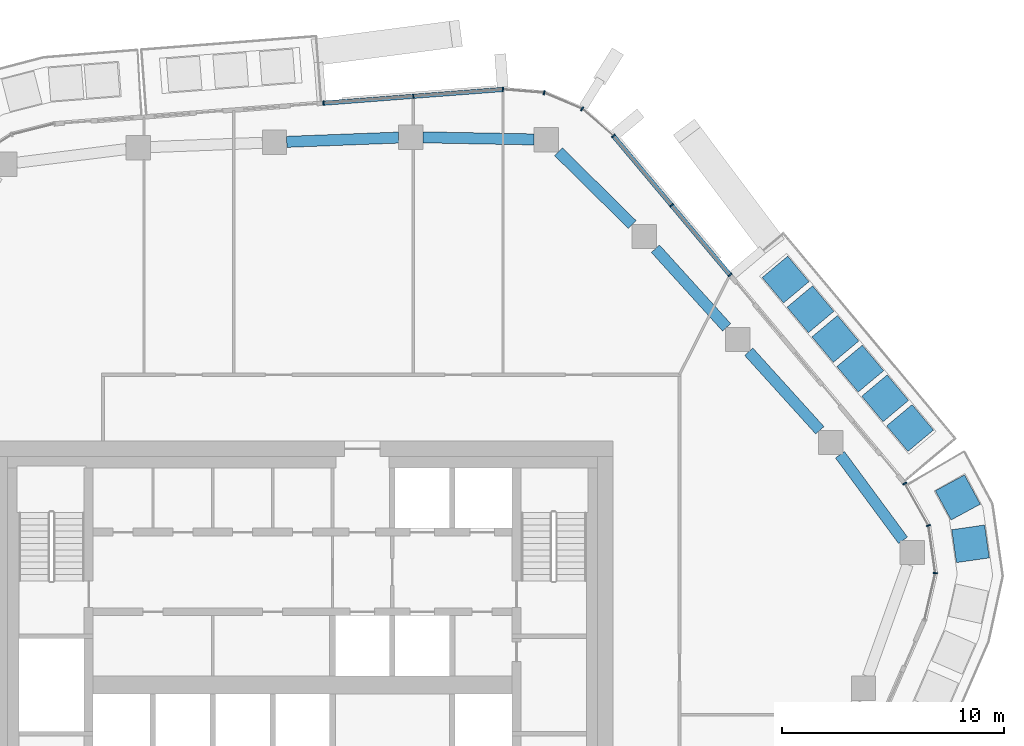
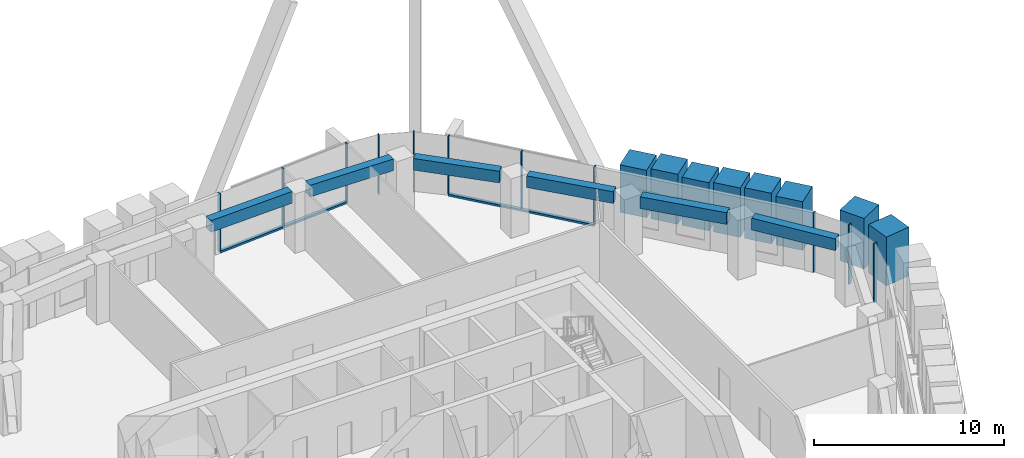
# One storey, part 8 of 20: 21 members, 6 beams, 4 elements without a shape of their own.
"""IFC4 building model written with IfcOpenShell, lengths in metres."""

from ifc_helpers import new_model, si_unit, direction, frame, origin, origin_2d, place, context, subcontext, project, spatial, rectangle, extrude, material, layer, layer_set, material_profile, profile_set, type_object, element, aggregate, save


model = new_model("IFC4")

# Units and contexts
model_context = context("Model", 3, precision=1e-05, world=origin(), true_north=direction((0.0, 1.0)))
body_context = subcontext(model_context, "Body", "Model", "MODEL_VIEW")
ifc_project = project(units=[si_unit("LENGTHUNIT", "METRE"), si_unit("AREAUNIT", "SQUARE_METRE"), si_unit("VOLUMEUNIT", "CUBIC_METRE"), si_unit("PLANEANGLEUNIT", "RADIAN"), si_unit("MASSUNIT", "GRAM", prefix="KILO")], contexts=[model_context])

# Site, building, storey
site_placement = place(None, origin())
site = spatial("IfcSite", under=ifc_project, at=site_placement, CompositionType="ELEMENT")
building_placement = place(site_placement, origin())
building = spatial("IfcBuilding", under=site, at=building_placement, Name="Dongbaek Canopy Tower", CompositionType="ELEMENT")
storey_placement = place(building_placement, frame((0.0, 0.0, 241.199951171875)))
storey = spatial("IfcBuildingStorey", under=building, at=storey_placement, Name="L50", CompositionType="ELEMENT", Elevation=241.199951171875)

# Curtain wall, members
ifc_material_1 = material(Name="Aluminium 6063-T6 pale anodised", Category="aluminium")
ifc_layer = layer(ifc_material_1, 0.199951171875)
ifc_layer_set = layer_set([ifc_layer], Name="CW-1 unitised tower curtain wall")
curtain_wall_type = type_object("IfcCurtainWallType", Name="CW-1 unitised tower curtain wall", PredefinedType="NOTDEFINED", material=ifc_layer_set)
curtain_wall_1_placement = place(storey_placement, origin())
curtain_wall_1 = element("IfcCurtainWall", 1, at=curtain_wall_1_placement, inside=storey, type_object=curtain_wall_type, Name="CW-1 curtain wall K0.1", PredefinedType="NOTDEFINED")
ifc_material_2 = material(Name="Aluminium 6063-T6 pale anodised", Category="aluminium")
ifc_material_profile_1 = material_profile(ifc_material_2, rectangle(XDim=0.199951171875, YDim=0.06005859375, at=origin_2d()), Name="CW-1 mullion 60 x 200")
ifc_profile_set_1 = profile_set([ifc_material_profile_1], Name="Aluminium 6063-T6 pale anodised")
member_type_1 = type_object("IfcMemberType", Name="CW-1 mullion 60 x 200", PredefinedType="MULLION", material=ifc_profile_set_1)
member_1_placement = place(storey_placement, frame((28.53955078125, 5.045654296875, 0.0), z_axis=(0.0, 0.0, 1.0), x_axis=(0.999117267787, -0.042008156467, 0.0)))
member_1 = element("IfcMember", 2, at=member_1_placement, type_object=member_type_1, Name="CW-1 mullion K0.1.2", PredefinedType="MULLION", context=body_context, shape_type="SweptSolid", body=[
    extrude(rectangle(XDim=0.199951171875, YDim=0.06005859375, at=origin_2d()), origin(), (0.0, 0.0, 1.0), 3.820068359375),
])
member_2_placement = place(storey_placement, frame((28.230712890625, 7.192626953125, 0.0), z_axis=(0.0, 0.0, 1.0), x_axis=(0.946753542922, 0.321959203881, 0.0)))
member_2 = element("IfcMember", 3, at=member_2_placement, type_object=member_type_1, Name="CW-1 mullion K0.1.3", PredefinedType="MULLION", context=body_context, shape_type="SweptSolid", body=[
    extrude(rectangle(XDim=0.199951171875, YDim=0.06005859375, at=origin_2d()), origin(), (0.0, 0.0, 1.0), 3.820068359375),
])
member_3_placement = place(storey_placement, frame((27.162109375, 9.0908203125, 0.0), z_axis=(0.0, 0.0, 1.0), x_axis=(0.871419575453, 0.490538401675, 0.0)))
member_3 = element("IfcMember", 4, at=member_3_placement, type_object=member_type_1, Name="CW-1 mullion K0.1.4", PredefinedType="MULLION", context=body_context, shape_type="SweptSolid", body=[
    extrude(rectangle(XDim=0.199951171875, YDim=0.06005859375, at=origin_2d()), origin(), (0.0, 0.0, 1.0), 3.820068359375),
])
aggregate(curtain_wall_1, [member_1, member_2, member_3])

curtain_wall_2_placement = place(storey_placement, origin())
curtain_wall_2 = element("IfcCurtainWall", 5, at=curtain_wall_2_placement, inside=storey, type_object=curtain_wall_type, Name="CW-1 curtain wall F0.1", PredefinedType="NOTDEFINED")
member_4_placement = place(storey_placement, frame((19.27685546875, 18.497802734375, 0.1201171875), z_axis=(0.0, 0.0, 1.0), x_axis=(0.766375296025, 0.64239310834, 0.0)))
member_4 = element("IfcMember", 6, at=member_4_placement, type_object=member_type_1, Name="CW-1 mullion F0.1.1", PredefinedType="MULLION", context=body_context, shape_type="SweptSolid", body=[
    extrude(rectangle(XDim=0.199951171875, YDim=0.06005859375, at=origin_2d()), origin(), (0.0, 0.0, 1.0), 3.699951171875),
])
member_5_placement = place(storey_placement, frame((16.646484375, 21.6357421875, 0.1201171875), z_axis=(0.0, 0.0, 1.0), x_axis=(0.766375296025, 0.64239310834, 0.0)))
member_5 = element("IfcMember", 7, at=member_5_placement, type_object=member_type_1, Name="CW-1 mullion F0.1.2", PredefinedType="MULLION", context=body_context, shape_type="SweptSolid", body=[
    extrude(rectangle(XDim=0.199951171875, YDim=0.06005859375, at=origin_2d()), origin(), (0.0, 0.0, 1.0), 3.699951171875),
])
member_6_placement = place(storey_placement, frame((14.021240234375, 24.767822265625, 0.1201171875), z_axis=(0.0, 0.0, 1.0), x_axis=(0.766375296025, 0.64239310834, 0.0)))
member_6 = element("IfcMember", 8, at=member_6_placement, type_object=member_type_1, Name="CW-1 mullion F0.1.3", PredefinedType="MULLION", context=body_context, shape_type="SweptSolid", body=[
    extrude(rectangle(XDim=0.199951171875, YDim=0.06005859375, at=origin_2d()), origin(), (0.0, 0.0, 1.0), 3.699951171875),
])

curtain_wall_3_placement = place(storey_placement, origin())
curtain_wall_3 = element("IfcCurtainWall", 9, at=curtain_wall_3_placement, inside=storey, type_object=curtain_wall_type, Name="CW-1 curtain wall K1.1", PredefinedType="NOTDEFINED")
member_7_placement = place(storey_placement, frame((12.61083984375, 25.9921875, 0.0), z_axis=(0.0, 0.0, 1.0), x_axis=(0.528292806273, 0.849062253808, 0.0)))
member_7 = element("IfcMember", 10, at=member_7_placement, type_object=member_type_1, Name="CW-1 mullion K1.1.2", PredefinedType="MULLION", context=body_context, shape_type="SweptSolid", body=[
    extrude(rectangle(XDim=0.199951171875, YDim=0.06005859375, at=origin_2d()), origin(), (0.0, 0.0, 1.0), 3.820068359375),
])
member_8_placement = place(storey_placement, frame((10.896728515625, 26.71337890625, 0.0), z_axis=(0.0, 0.0, 1.0), x_axis=(0.237700437718, 0.971338510463, 0.0)))
member_8 = element("IfcMember", 11, at=member_8_placement, type_object=member_type_1, Name="CW-1 mullion K1.1.3", PredefinedType="MULLION", context=body_context, shape_type="SweptSolid", body=[
    extrude(rectangle(XDim=0.199951171875, YDim=0.06005859375, at=origin_2d()), origin(), (0.0, 0.0, 1.0), 3.820068359375),
])
member_9_placement = place(storey_placement, frame((9.03515625, 26.86572265625, 0.0), z_axis=(0.0, 0.0, 1.0), x_axis=(0.081611441315, 0.996664222618, 0.0)))
member_9 = element("IfcMember", 12, at=member_9_placement, type_object=member_type_1, Name="CW-1 mullion K1.1.4", PredefinedType="MULLION", context=body_context, shape_type="SweptSolid", body=[
    extrude(rectangle(XDim=0.199951171875, YDim=0.06005859375, at=origin_2d()), origin(), (0.0, 0.0, 1.0), 3.820068359375),
])
aggregate(curtain_wall_3, [member_7, member_8, member_9])

curtain_wall_4_placement = place(storey_placement, origin())
curtain_wall_4 = element("IfcCurtainWall", 13, at=curtain_wall_4_placement, inside=storey, type_object=curtain_wall_type, Name="CW-1 curtain wall F1.1", PredefinedType="NOTDEFINED")
member_10_placement = place(storey_placement, frame((4.994140625, 26.5556640625, 0.1201171875), z_axis=(0.0, 0.0, 1.0), x_axis=(-0.076518262748, 0.997068179949, 0.0)))
member_10 = element("IfcMember", 14, at=member_10_placement, type_object=member_type_1, Name="CW-1 mullion F1.1.2", PredefinedType="MULLION", context=body_context, shape_type="SweptSolid", body=[
    extrude(rectangle(XDim=0.199951171875, YDim=0.06005859375, at=origin_2d()), origin(), (0.0, 0.0, 1.0), 3.699951171875),
])
member_11_placement = place(storey_placement, frame((0.945068359375, 26.244873046875, 0.1201171875), z_axis=(0.0, 0.0, 1.0), x_axis=(-0.076518262748, 0.997068179949, 0.0)))
member_11 = element("IfcMember", 15, at=member_11_placement, type_object=member_type_1, Name="CW-1 mullion F1.1.3", PredefinedType="MULLION", context=body_context, shape_type="SweptSolid", body=[
    extrude(rectangle(XDim=0.199951171875, YDim=0.06005859375, at=origin_2d()), origin(), (0.0, 0.0, 1.0), 3.699951171875),
])

# Member
ifc_material_3 = material(Name="Aluminium 6063-T6 pale anodised", Category="aluminium")
ifc_material_profile_2 = material_profile(ifc_material_3, rectangle(XDim=0.199951171875, YDim=0.1201171875, at=origin_2d()), Name="CW-1 transom 120 x 200")
ifc_profile_set_2 = profile_set([ifc_material_profile_2], Name="Aluminium 6063-T6 pale anodised")
member_type_2 = type_object("IfcMemberType", Name="CW-1 transom 120 x 200", PredefinedType="USERDEFINED", material=ifc_profile_set_2)
member_12_placement = place(storey_placement, frame((19.27685546875, 18.497802734375, 0.06005859375), z_axis=(-0.642389019021, 0.766378723766, 0.0), x_axis=(-0.766378723766, -0.642389019021, 0.0)))
member_12 = element("IfcMember", 16, at=member_12_placement, type_object=member_type_2, Name="CW-1 transom F0.1.1", ObjectType="TRANSOM", PredefinedType="USERDEFINED", context=body_context, shape_type="SweptSolid", body=[
    extrude(rectangle(XDim=0.199951171875, YDim=0.1201171875, at=origin_2d()), origin(), (0.0, 0.0, 1.0), 8.181396484375),
])

aggregate(curtain_wall_2, [member_4, member_5, member_6, member_12])

member_13_placement = place(storey_placement, frame((9.03515625, 26.86572265625, 0.06005859375), z_axis=(-0.997068275016, -0.076517023972, 0.0), x_axis=(0.076517023972, -0.997068275016, 0.0)))
member_13 = element("IfcMember", 17, at=member_13_placement, type_object=member_type_2, Name="CW-1 transom F1.1.1", ObjectType="TRANSOM", PredefinedType="USERDEFINED", context=body_context, shape_type="SweptSolid", body=[
    extrude(rectangle(XDim=0.199951171875, YDim=0.1201171875, at=origin_2d()), origin(), (0.0, 0.0, 1.0), 8.11376953125),
])

aggregate(curtain_wall_4, [member_10, member_11, member_13])

# Beams
ifc_material_4 = material(Name="Concrete C70", Category="concrete")
ifc_material_profile_3 = material_profile(ifc_material_4, rectangle(XDim=0.5, YDim=0.75, at=origin_2d()), Name="RC EDGE BEAM 500x750 C70")
ifc_profile_set_3 = profile_set([ifc_material_profile_3], Name="Concrete C70")
beam_type = type_object("IfcBeamType", Name="RC EDGE BEAM 500x750 C70", PredefinedType="BEAM", material=ifc_profile_set_3)
beam_1_placement = place(storey_placement, frame((-0.716064453125, 24.5, 3.445068359375), z_axis=(0.999269359521, 0.038219721647, 0.0), x_axis=(-0.038219721647, 0.999269359521, 0.0)))
element("IfcBeam", 18, at=beam_1_placement, inside=storey, type_object=beam_type, Name="EDGEBEAM:L50:15", PredefinedType="BEAM", context=body_context, shape_type="SweptSolid", body=[
    extrude(rectangle(XDim=0.5, YDim=0.75, at=origin_2d()), origin(), (0.0, 0.0, 1.0), 5.052734375),
])
beam_2_placement = place(storey_placement, frame((5.43310546875, 24.70361328125, 3.445068359375), z_axis=(0.999822914654, -0.018818590065, 0.0), x_axis=(0.018818590065, 0.999822914654, 0.0)))
element("IfcBeam", 19, at=beam_2_placement, inside=storey, type_object=beam_type, Name="EDGEBEAM:L50:16", PredefinedType="BEAM", context=body_context, shape_type="SweptSolid", body=[
    extrude(rectangle(XDim=0.5, YDim=0.75, at=origin_2d()), origin(), (0.0, 0.0, 1.0), 5.0078125),
])
beam_3_placement = place(storey_placement, frame((11.5400390625, 24.05615234375, 3.445068359375), z_axis=(0.711738619198, -0.70244440203, 0.0), x_axis=(0.70244440203, 0.711738619198, 0.0)))
element("IfcBeam", 20, at=beam_3_placement, inside=storey, type_object=beam_type, Name="EDGEBEAM:L50:17", PredefinedType="BEAM", context=body_context, shape_type="SweptSolid", body=[
    extrude(rectangle(XDim=0.5, YDim=0.75, at=origin_2d()), origin(), (0.0, 0.0, 1.0), 4.67578125),
])
beam_4_placement = place(storey_placement, frame((15.916015625, 19.678955078125, 3.445068359375), z_axis=(0.671330225436, -0.741158369322, 0.0), x_axis=(0.741158369322, 0.671330225436, 0.0)))
element("IfcBeam", 21, at=beam_4_placement, inside=storey, type_object=beam_type, Name="EDGEBEAM:L50:18", PredefinedType="BEAM", context=body_context, shape_type="SweptSolid", body=[
    extrude(rectangle(XDim=0.5, YDim=0.75, at=origin_2d()), origin(), (0.0, 0.0, 1.0), 4.782958984375),
])
beam_5_placement = place(storey_placement, frame((20.123046875, 15.033935546875, 3.445068359375), z_axis=(0.671218045362, -0.741259964911, 0.0), x_axis=(0.741259964911, 0.671218045362, 0.0)))
element("IfcBeam", 22, at=beam_5_placement, inside=storey, type_object=beam_type, Name="EDGEBEAM:L50:19", PredefinedType="BEAM", context=body_context, shape_type="SweptSolid", body=[
    extrude(rectangle(XDim=0.5, YDim=0.75, at=origin_2d()), origin(), (0.0, 0.0, 1.0), 4.7822265625),
])
beam_6_placement = place(storey_placement, frame((24.23681640625, 10.388916015625, 3.445068359375), z_axis=(0.593714292615, -0.804675921564, 0.0), x_axis=(0.804675921564, 0.593714292615, 0.0)))
element("IfcBeam", 23, at=beam_6_placement, inside=storey, type_object=beam_type, Name="EDGEBEAM:L50:20", PredefinedType="BEAM", context=body_context, shape_type="SweptSolid", body=[
    extrude(rectangle(XDim=0.5, YDim=0.75, at=origin_2d()), origin(), (0.0, 0.0, 1.0), 4.79931640625),
])

# Members
ifc_material_5 = material(Name="Concrete C40/50 planter mass with planting", Category="concrete")
ifc_material_profile_4 = material_profile(ifc_material_5, rectangle(XDim=1.5, YDim=1.5, at=origin_2d()), Name="Terrace PLANTER shrub mass 1500 x 1500")
ifc_profile_set_4 = profile_set([ifc_material_profile_4], Name="Concrete C40/50 planter mass with planting")
member_type_3 = type_object("IfcMemberType", Name="Terrace PLANTER shrub mass 1500 x 1500", PredefinedType="USERDEFINED", material=ifc_profile_set_4)
member_14_placement = place(storey_placement, frame((27.400390625, 11.5927734375, 0.420166015625), z_axis=(0.0, 0.0, 1.0), x_axis=(0.766375296025, 0.64239310834, 0.0)))
element("IfcMember", 24, at=member_14_placement, inside=storey, type_object=member_type_3, Name="Planter shrubs L50 1.1", ObjectType="PLANTER", PredefinedType="USERDEFINED", context=body_context, shape_type="SweptSolid", body=[
    extrude(rectangle(XDim=1.5, YDim=1.5, at=origin_2d()), origin(), (0.0, 0.0, 1.0), 3.1298828125),
])
member_15_placement = place(storey_placement, frame((26.278076171875, 12.931884765625, 0.420166015625), z_axis=(0.0, 0.0, 1.0), x_axis=(0.766375296025, 0.64239310834, 0.0)))
element("IfcMember", 25, at=member_15_placement, inside=storey, type_object=member_type_3, Name="Planter shrubs L50 1.2", ObjectType="PLANTER", PredefinedType="USERDEFINED", context=body_context, shape_type="SweptSolid", body=[
    extrude(rectangle(XDim=1.5, YDim=1.5, at=origin_2d()), origin(), (0.0, 0.0, 1.0), 3.25),
])
member_16_placement = place(storey_placement, frame((25.155517578125, 14.27099609375, 0.420166015625), z_axis=(0.0, 0.0, 1.0), x_axis=(0.766375296025, 0.64239310834, 0.0)))
element("IfcMember", 26, at=member_16_placement, inside=storey, type_object=member_type_3, Name="Planter shrubs L50 1.3", ObjectType="PLANTER", PredefinedType="USERDEFINED", context=body_context, shape_type="SweptSolid", body=[
    extrude(rectangle(XDim=1.5, YDim=1.5, at=origin_2d()), origin(), (0.0, 0.0, 1.0), 3.169921875),
])
member_17_placement = place(storey_placement, frame((24.033203125, 15.610107421875, 0.420166015625), z_axis=(0.0, 0.0, 1.0), x_axis=(0.766375296025, 0.64239310834, 0.0)))
element("IfcMember", 27, at=member_17_placement, inside=storey, type_object=member_type_3, Name="Planter shrubs L50 1.4", ObjectType="PLANTER", PredefinedType="USERDEFINED", context=body_context, shape_type="SweptSolid", body=[
    extrude(rectangle(XDim=1.5, YDim=1.5, at=origin_2d()), origin(), (0.0, 0.0, 1.0), 3.08984375),
])
member_18_placement = place(storey_placement, frame((22.91064453125, 16.94921875, 0.420166015625), z_axis=(0.0, 0.0, 1.0), x_axis=(0.766375296025, 0.64239310834, 0.0)))
element("IfcMember", 28, at=member_18_placement, inside=storey, type_object=member_type_3, Name="Planter shrubs L50 1.5", ObjectType="PLANTER", PredefinedType="USERDEFINED", context=body_context, shape_type="SweptSolid", body=[
    extrude(rectangle(XDim=1.5, YDim=1.5, at=origin_2d()), origin(), (0.0, 0.0, 1.0), 3.2099609375),
])
member_19_placement = place(storey_placement, frame((21.7880859375, 18.288330078125, 0.420166015625), z_axis=(0.0, 0.0, 1.0), x_axis=(0.766375296025, 0.64239310834, 0.0)))
element("IfcMember", 29, at=member_19_placement, inside=storey, type_object=member_type_3, Name="Planter shrubs L50 1.6", ObjectType="PLANTER", PredefinedType="USERDEFINED", context=body_context, shape_type="SweptSolid", body=[
    extrude(rectangle(XDim=1.5, YDim=1.5, at=origin_2d()), origin(), (0.0, 0.0, 1.0), 3.0498046875),
])
member_20_placement = place(storey_placement, frame((30.12841796875, 6.369873046875, 0.420166015625), z_axis=(0.0, 0.0, 1.0), x_axis=(0.989808750638, 0.142403079882, 0.0)))
element("IfcMember", 30, at=member_20_placement, inside=storey, type_object=member_type_3, Name="Planter shrubs L50 6.4", ObjectType="PLANTER", PredefinedType="USERDEFINED", context=body_context, shape_type="SweptSolid", body=[
    extrude(rectangle(XDim=1.5, YDim=1.5, at=origin_2d()), origin(), (0.0, 0.0, 1.0), 3.1298828125),
])
member_21_placement = place(storey_placement, frame((29.55517578125, 8.459228515625, 0.420166015625), z_axis=(0.0, 0.0, 1.0), x_axis=(0.88028939917, 0.474437112491, 0.0)))
element("IfcMember", 31, at=member_21_placement, inside=storey, type_object=member_type_3, Name="Planter shrubs L50 6.5", ObjectType="PLANTER", PredefinedType="USERDEFINED", context=body_context, shape_type="SweptSolid", body=[
    extrude(rectangle(XDim=1.5, YDim=1.5, at=origin_2d()), origin(), (0.0, 0.0, 1.0), 3.25),
])

save(model, "model.ifc")
